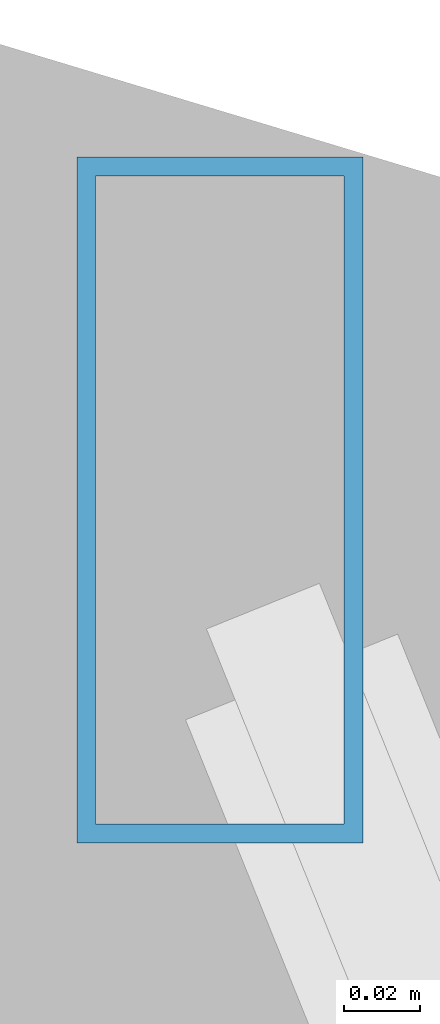
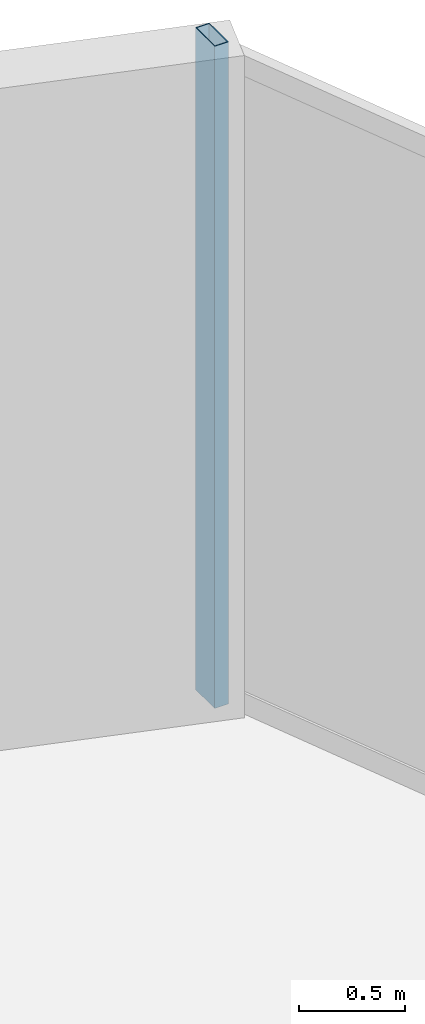
# One storey, part 23 of 31: 1 member, 1 element without a shape of its own.
"""IFC4 building model written with IfcOpenShell, lengths in metres."""

import ifcopenshell
import ifcopenshell.guid

model = None  # the IFC model being written
_history = None  # IfcOwnerHistory: only IFC2X3 demands one
_inside = {}  # id of a spatial element -> (the spatial element, [elements in it])
_under = {}  # id of a project, library or spatial element -> (it, [spatial elements below it])
_declared = {}  # id of a project -> (the project, [libraries it declares])
_typed = {}  # id of a type object -> (the type object, [elements of that type])
_made_of = {}  # id of a material, layer set ... -> (it, [elements and type objects made of it])


def new_model(schema):
    """Start an empty IFC model of exactly this schema.

    Asked for "IFC4X3", IfcOpenShell would pick the latest addendum, in which some entities
    have other attributes; the version numbers below select the first issue.
    IFC2X3 requires an IfcOwnerHistory on every rooted entity: one is made here for all.
    """
    global model, _history
    if schema == "IFC4X3":
        model = ifcopenshell.file(schema_version=(4, 3, 0, 0))
    else:
        model = ifcopenshell.file(schema=schema)
    _inside.clear()
    _under.clear()
    _declared.clear()
    _typed.clear()
    _made_of.clear()
    _history = None
    if model.schema == "IFC2X3":
        org = make("IfcOrganization", Name="unknown")
        user = make(
            "IfcPersonAndOrganization",
            ThePerson=make("IfcPerson", FamilyName="unknown"),
            TheOrganization=org,
        )
        app = make(
            "IfcApplication",
            ApplicationDeveloper=org,
            Version="unknown",
            ApplicationFullName="unknown",
            ApplicationIdentifier="unknown",
        )
        _history = make(
            "IfcOwnerHistory",
            OwningUser=user,
            OwningApplication=app,
            ChangeAction="ADDED",
            CreationDate=0,
        )
    return model


def make(cls, **values):
    """One entity of the class cls with the attributes given. An attribute that is None is left unset."""
    return model.create_entity(
        cls, **{name: value for name, value in values.items() if value is not None}
    )


def rooted(cls, **values):
    """An entity with a GlobalId (a new one), such as an element, a storey or a relation."""
    return make(cls, GlobalId=ifcopenshell.guid.new(), OwnerHistory=_history, **values)


def si_unit(unit_type, name, prefix=None):
    """IfcSIUnit, for example si_unit("LENGTHUNIT", "METRE", prefix="MILLI")."""
    return make("IfcSIUnit", UnitType=unit_type, Prefix=prefix, Name=name)


def assignment(units):
    """IfcUnitAssignment: the units of a project."""
    return None if units is None else make("IfcUnitAssignment", Units=units)


def point(xyz):
    """IfcCartesianPoint."""
    return None if xyz is None else make("IfcCartesianPoint", Coordinates=xyz)


def direction(xyz):
    """IfcDirection."""
    return None if xyz is None else make("IfcDirection", DirectionRatios=xyz)


def frame(location, z_axis=None, x_axis=None):
    """IfcAxis2Placement3D, a coordinate frame: its origin and axes. An axis left out is left unset."""
    return make(
        "IfcAxis2Placement3D",
        Location=point(location),
        Axis=direction(z_axis),
        RefDirection=direction(x_axis),
    )


def frame_2d(location, x_axis=None):
    """IfcAxis2Placement2D, a coordinate frame in the plane: its origin and x axis."""
    return make(
        "IfcAxis2Placement2D", Location=point(location), RefDirection=direction(x_axis)
    )


def origin():
    """The frame at (0, 0, 0) with its axes left unset."""
    return frame((0.0, 0.0, 0.0))


def origin_2d():
    """The frame at (0, 0) in the plane with its x axis left unset."""
    return frame_2d((0.0, 0.0))


def place(relative_to, where):
    """IfcLocalPlacement: puts the frame where relative to a parent placement (None: the world)."""
    return make(
        "IfcLocalPlacement", PlacementRelTo=relative_to, RelativePlacement=where
    )


def context(
    kind, dimensions, precision=None, world=None, true_north=None, identifier=None
):
    """IfcGeometricRepresentationContext, for example the 3D "Model" context."""
    return make(
        "IfcGeometricRepresentationContext",
        ContextIdentifier=identifier,
        ContextType=kind,
        CoordinateSpaceDimension=dimensions,
        Precision=precision,
        WorldCoordinateSystem=world,
        TrueNorth=true_north,
    )


def subcontext(parent, identifier, kind, view, scale=None):
    """IfcGeometricRepresentationSubContext, for example "Body" below "Model"."""
    return make(
        "IfcGeometricRepresentationSubContext",
        ContextIdentifier=identifier,
        ContextType=kind,
        ParentContext=parent,
        TargetScale=scale,
        TargetView=view,
    )


def project(units=None, contexts=None):
    """IfcProject with its units and contexts."""
    return rooted(
        "IfcProject",
        Name="project",
        RepresentationContexts=contexts,
        UnitsInContext=assignment(units),
    )


def spatial(cls, under=None, at=None, **own):
    """A site, building, storey or space (cls), placed at a placement, below another one or the project."""
    s = rooted(cls, ObjectPlacement=at, **own)
    if under is not None:
        _under.setdefault(under.id(), (under, []))[1].append(s)
    return s


def profile(cls, at=None, kind="AREA", **sizes):
    """A parametric profile (cls). Its sizes go by their IFC names, for example OverallWidth=200.0."""
    return make(cls, ProfileType=kind, Position=at, **sizes)


def hollow_rectangle(**sizes):
    """IfcRectangleHollowProfileDef."""
    return profile("IfcRectangleHollowProfileDef", **sizes)


def extrude(swept, where, along, depth):
    """IfcExtrudedAreaSolid: the profile swept, set in the frame where, extruded along a direction by depth."""
    return make(
        "IfcExtrudedAreaSolid",
        SweptArea=swept,
        Position=where,
        ExtrudedDirection=direction(along),
        Depth=depth,
    )


def shape(context_of_items, identifier, shape_type, items):
    """IfcShapeRepresentation: the items that make up one representation, for example the "Body"."""
    return make(
        "IfcShapeRepresentation",
        ContextOfItems=context_of_items,
        RepresentationIdentifier=identifier,
        RepresentationType=shape_type,
        Items=items,
    )


def material(Name=None, Category=None):
    """IfcMaterial."""
    return make("IfcMaterial", Name=Name, Category=Category)


def layer(
    of_material, thickness, ventilated=None, Name=None, Category=None, Priority=None
):
    """IfcMaterialLayer: one layer of a wall or slab, of a material (None: an air gap)."""
    return make(
        "IfcMaterialLayer",
        Material=of_material,
        LayerThickness=thickness,
        IsVentilated=ventilated,
        Name=Name,
        Category=Category,
        Priority=Priority,
    )


def layer_set(layers, Name=None):
    """IfcMaterialLayerSet."""
    return make("IfcMaterialLayerSet", MaterialLayers=layers, LayerSetName=Name)


def material_profile(
    of_material, cross_section, Name=None, Category=None, Priority=None
):
    """IfcMaterialProfile: a cross section and its material."""
    return make(
        "IfcMaterialProfile",
        Name=Name,
        Material=of_material,
        Profile=cross_section,
        Priority=Priority,
        Category=Category,
    )


def profile_set(profiles, Name=None, composite=None):
    """IfcMaterialProfileSet."""
    return make(
        "IfcMaterialProfileSet",
        Name=Name,
        MaterialProfiles=profiles,
        CompositeProfile=composite,
    )


def made_of(thing, what):
    """Note that an element or type object is made of a material, layer set ...; save() writes the relation."""
    if what is not None:
        _made_of.setdefault(what.id(), (what, []))[1].append(thing)
    return thing


def type_object(cls, material=None, **own):
    """A type object (cls), such as IfcWallType, which elements share."""
    return made_of(rooted(cls, **own), material)


def element(
    cls,
    number,
    at=None,
    inside=None,
    cuts=None,
    type_object=None,
    material=None,
    context=None,
    identifier="Body",
    shape_type=None,
    held_by="IfcProductDefinitionShape",
    body=None,
    shapes=None,
    **own,
):
    """One element of the class cls, such as IfcWall. Its Tag is "e" and its number.

    at: its placement. inside: the storey or other place that contains it. cuts: it is an
    opening in that element (IfcRelVoidsElement). A single representation is given by context,
    identifier, shape_type and body (its items); several are given by shapes. held_by: the class
    of the entity that holds the representations. save() writes the other relations.
    """
    e = rooted(cls, Tag="e%d" % number, ObjectPlacement=at, **own)
    if body is not None:
        shapes = [shape(context, identifier, shape_type, body)]
    if shapes is not None:
        e.Representation = make(held_by, Representations=shapes)
    if inside is not None:
        _inside.setdefault(inside.id(), (inside, []))[1].append(e)
    if cuts is not None:
        rooted(
            "IfcRelVoidsElement", RelatingBuildingElement=cuts, RelatedOpeningElement=e
        )
    if type_object is not None:
        _typed.setdefault(type_object.id(), (type_object, []))[1].append(e)
    return made_of(e, material)


def aggregate(whole, parts):
    """IfcRelAggregates: a whole, such as a stair, and the parts it consists of."""
    return rooted("IfcRelAggregates", RelatingObject=whole, RelatedObjects=parts)


def save(model, path):
    """Write the relations noted so far, then the file.

    IfcRelAggregates (storeys below a building ...), IfcRelContainedInSpatialStructure (elements
    in a storey), IfcRelDefinesByType, IfcRelAssociatesMaterial and IfcRelDeclares: one each for
    every whole, place, type object, material and project.
    """
    for whole, parts in _under.values():
        aggregate(whole, parts)
    for where, things in _inside.values():
        rooted(
            "IfcRelContainedInSpatialStructure",
            RelatedElements=things,
            RelatingStructure=where,
        )
    for kind, things in _typed.values():
        rooted("IfcRelDefinesByType", RelatedObjects=things, RelatingType=kind)
    for what, things in _made_of.values():
        rooted("IfcRelAssociatesMaterial", RelatedObjects=things, RelatingMaterial=what)
    for by, libraries in _declared.values():
        rooted("IfcRelDeclares", RelatingContext=by, RelatedDefinitions=libraries)
    model.write(path)


model = new_model("IFC4")

# Units and contexts
model_context = context("Model", 3, precision=1e-05, world=origin(), true_north=direction((0.0, 1.0)))
body_context = subcontext(model_context, "Body", "Model", "MODEL_VIEW")
ifc_project = project(units=[si_unit("LENGTHUNIT", "METRE"), si_unit("AREAUNIT", "SQUARE_METRE"), si_unit("VOLUMEUNIT", "CUBIC_METRE"), si_unit("PLANEANGLEUNIT", "RADIAN"), si_unit("MASSUNIT", "GRAM", prefix="KILO")], contexts=[model_context])

# Site, building, storey
site_placement = place(None, origin())
site = spatial("IfcSite", under=ifc_project, at=site_placement, CompositionType="ELEMENT")
building_placement = place(site_placement, origin())
building = spatial("IfcBuilding", under=site, at=building_placement, Name="Veymaron Broadcast Tower", CompositionType="ELEMENT")
storey_placement = place(building_placement, frame((0.0, 0.0, 70.199951171875)))
storey = spatial("IfcBuildingStorey", under=building, at=storey_placement, Name="L15", CompositionType="ELEMENT", Elevation=70.199951171875)

# Curtain wall, member
ifc_material_1 = material(Name="Anodised aluminium AA 6063-T6 and laminated low-E dark glass", Category="aluminium")
ifc_layer = layer(ifc_material_1, 0.179931640625)
ifc_layer_set = layer_set([ifc_layer], Name="Anodised aluminium AA 6063-T6 and laminated low-E dark glass")
curtain_wall_type = type_object("IfcCurtainWallType", Name="CW-SYS-02", PredefinedType="NOTDEFINED", material=ifc_layer_set)
curtain_wall_placement = place(storey_placement, origin())
curtain_wall = element("IfcCurtainWall", 1, at=curtain_wall_placement, inside=storey, type_object=curtain_wall_type, Name="L15 dark-glass curtain wall CW-L15-E5-1", PredefinedType="NOTDEFINED")
ifc_material_2 = material(Name="Anodised aluminium AA 6063-T6", Category="aluminium")
ifc_material_profile = material_profile(ifc_material_2, hollow_rectangle(XDim=0.074951171875, YDim=0.179931640625, WallThickness=0.0048828125, at=origin_2d()), Name="AL180X75X5")
ifc_profile_set = profile_set([ifc_material_profile], Name="Anodised aluminium AA 6063-T6")
member_type = type_object("IfcMemberType", Name="CW-MUL-02", PredefinedType="MULLION", material=ifc_profile_set)
member_placement = place(storey_placement, frame((41.580322265625, 43.741455078125, 0.0), z_axis=(0.0, 0.0, 1.0), x_axis=(1.0, 0.0, 0.0)))
member = element("IfcMember", 2, at=member_placement, type_object=member_type, Name="CW-L15-E5-1 mullion 2", PredefinedType="MULLION", context=body_context, shape_type="SweptSolid", body=[
    extrude(hollow_rectangle(XDim=0.074951171875, YDim=0.179931640625, WallThickness=0.0048828125, at=origin_2d()), origin(), (0.0, 0.0, 1.0), 3.81005859375),
])
aggregate(curtain_wall, [member])

save(model, "model.ifc")
